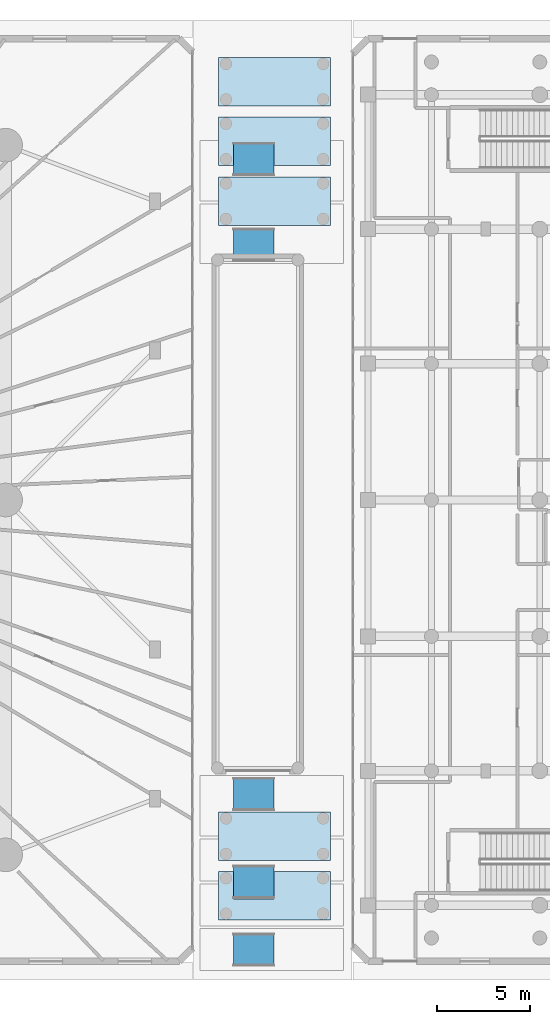
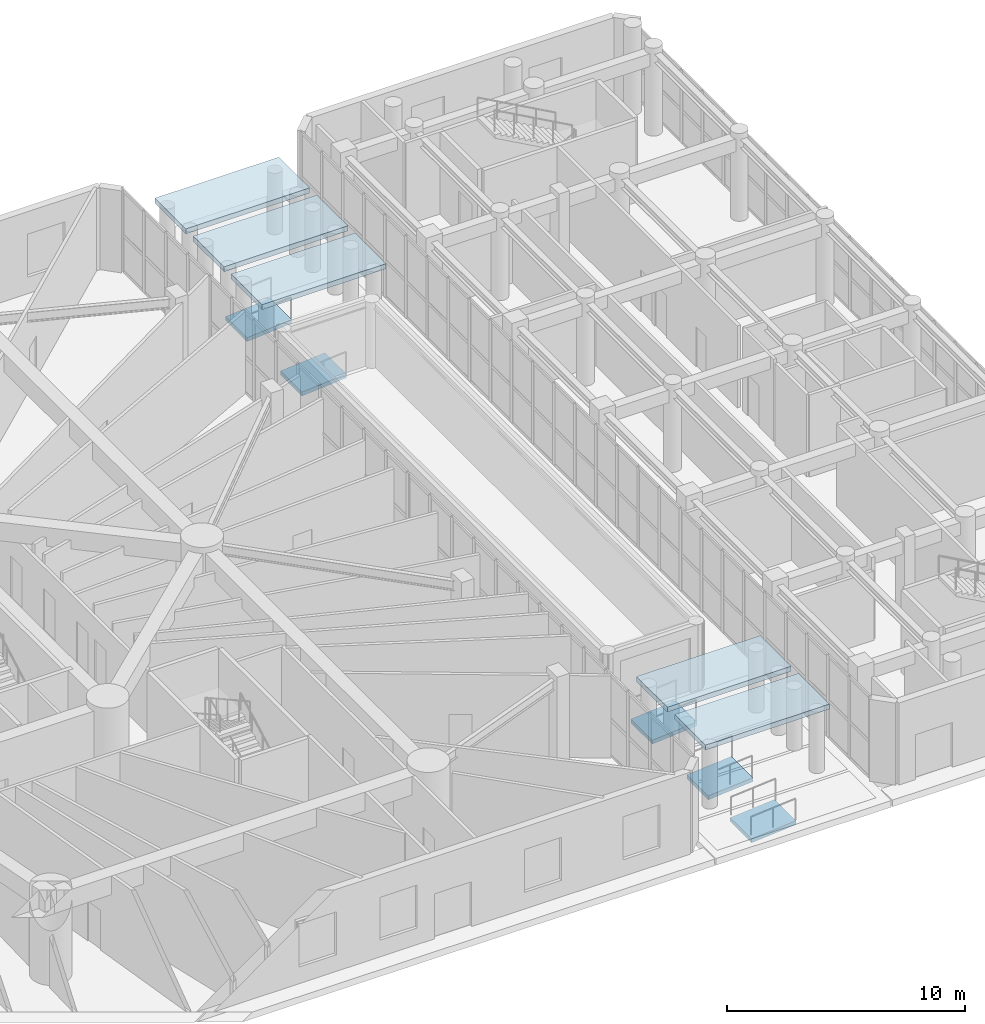
# One storey, part 22 of 30: 5 ramp flights, 5 roofs, 5 elements without a shape of their own.
"""IFC4 building model written with IfcOpenShell, lengths in metres."""

from ifc_helpers import new_model, si_unit, direction, frame, origin, place, context, subcontext, project, spatial, polyline, outline, extrude, material, layer, layer_set, type_object, element, aggregate, save


model = new_model("IFC4")

# Units and contexts
model_context = context("Model", 3, precision=1e-05, world=origin(), true_north=direction((0.0, 1.0)))
body_context = subcontext(model_context, "Body", "Model", "MODEL_VIEW")
ifc_project = project(units=[si_unit("LENGTHUNIT", "METRE"), si_unit("AREAUNIT", "SQUARE_METRE"), si_unit("VOLUMEUNIT", "CUBIC_METRE"), si_unit("PLANEANGLEUNIT", "RADIAN"), si_unit("MASSUNIT", "GRAM", prefix="KILO")], contexts=[model_context])

# Site, building, storey
site_placement = place(None, origin())
site = spatial("IfcSite", under=ifc_project, at=site_placement, CompositionType="ELEMENT")
building_placement = place(site_placement, origin())
building = spatial("IfcBuilding", under=site, at=building_placement, Name="Karkom Vertical University and Central Library", CompositionType="ELEMENT")
storey_placement = place(building_placement, origin())
storey = spatial("IfcBuildingStorey", under=building, at=storey_placement, Name="L00", CompositionType="ELEMENT", Elevation=0.0)

# Ramp, ramp flight
ifc_material_1 = material(Name="Concrete C40/50", Category="concrete")
ifc_layer_1 = layer(ifc_material_1, 0.199951171875)
ifc_layer_set_1 = layer_set([ifc_layer_1], Name="Concrete C40/50")
ramp_type = type_object("IfcRampType", Name="INT-RMP-PED", PredefinedType="STRAIGHT_RUN_RAMP", material=ifc_layer_set_1)
ramp_1_placement = place(storey_placement, origin())
ramp_1 = element("IfcRamp", 1, at=ramp_1_placement, inside=storey, type_object=ramp_type, Name="Level 00 Accessible 1:12 Pedestrian Plaza Ramp L00-PRMP-1", PredefinedType="STRAIGHT_RUN_RAMP")
ifc_layer_2 = layer(ifc_material_1, 0.199951171875)
ifc_layer_set_2 = layer_set([ifc_layer_2], Name="Concrete C40/50")
ramp_flight_type = type_object("IfcRampFlightType", Name="INT-RFL-PED", PredefinedType="STRAIGHT", material=ifc_layer_set_2)
ramp_flight_1_placement = place(storey_placement, frame((59.0, 10.75, -0.179931640625), z_axis=(0.0, 0.0, 1.0), x_axis=(1.0, 0.0, 0.0)))
ramp_flight_1 = element("IfcRampFlight", 2, at=ramp_flight_1_placement, type_object=ramp_flight_type, Name="Level 00 Accessible Pedestrian Ramp Flight L00-PRMP-1", PredefinedType="STRAIGHT", context=body_context, shape_type="SweptSolid", body=[
    extrude(outline(polyline([(0.0, 0.0), (2.159912109375, 0.179931640625), (2.159912109375, -0.02001953125), (0.0, -0.199951171875), (0.0, 0.0)])), frame((0.0, 0.89990234375, 0.0), z_axis=(0.0, -1.0, 0.0), x_axis=(1.0, 0.0, 0.0)), (0.0, 0.0, 1.0), 1.800048828125),
])
aggregate(ramp_1, [ramp_flight_1])

ramp_2_placement = place(storey_placement, origin())
ramp_2 = element("IfcRamp", 3, at=ramp_2_placement, inside=storey, type_object=ramp_type, Name="Level 00 Accessible 1:12 Pedestrian Plaza Ramp L00-PRMP-2", PredefinedType="STRAIGHT_RUN_RAMP")
ramp_flight_2_placement = place(storey_placement, frame((59.0, 6.050048828125, -0.179931640625), z_axis=(0.0, 0.0, 1.0), x_axis=(1.0, 0.0, 0.0)))
ramp_flight_2 = element("IfcRampFlight", 4, at=ramp_flight_2_placement, type_object=ramp_flight_type, Name="Level 00 Accessible Pedestrian Ramp Flight L00-PRMP-2", PredefinedType="STRAIGHT", context=body_context, shape_type="SweptSolid", body=[
    extrude(outline(polyline([(0.0, 0.0), (2.159912109375, 0.179931640625), (2.159912109375, -0.02001953125), (0.0, -0.199951171875), (0.0, 0.0)])), frame((0.0, 0.89990234375, 0.0), z_axis=(0.0, -1.0, 0.0), x_axis=(1.0, 0.0, 0.0)), (0.0, 0.0, 1.0), 1.800048828125),
])
aggregate(ramp_2, [ramp_flight_2])

ramp_3_placement = place(storey_placement, origin())
ramp_3 = element("IfcRamp", 5, at=ramp_3_placement, inside=storey, type_object=ramp_type, Name="Level 00 Accessible 1:12 Pedestrian Plaza Ramp L00-PRMP-3", PredefinedType="STRAIGHT_RUN_RAMP")
ramp_flight_3_placement = place(storey_placement, frame((59.0, 44.75, -0.179931640625), z_axis=(0.0, 0.0, 1.0), x_axis=(1.0, 0.0, 0.0)))
ramp_flight_3 = element("IfcRampFlight", 6, at=ramp_flight_3_placement, type_object=ramp_flight_type, Name="Level 00 Accessible Pedestrian Ramp Flight L00-PRMP-3", PredefinedType="STRAIGHT", context=body_context, shape_type="SweptSolid", body=[
    extrude(outline(polyline([(0.0, 0.0), (2.159912109375, 0.179931640625), (2.159912109375, -0.02001953125), (0.0, -0.199951171875), (0.0, 0.0)])), frame((0.0, 0.89990234375, 0.0), z_axis=(0.0, -1.0, 0.0), x_axis=(1.0, 0.0, 0.0)), (0.0, 0.0, 1.0), 1.800048828125),
])
aggregate(ramp_3, [ramp_flight_3])

ramp_4_placement = place(storey_placement, origin())
ramp_4 = element("IfcRamp", 7, at=ramp_4_placement, inside=storey, type_object=ramp_type, Name="Level 00 Accessible 1:12 Pedestrian Plaza Ramp L00-PRMP-4", PredefinedType="STRAIGHT_RUN_RAMP")
ramp_flight_4_placement = place(storey_placement, frame((59.0, 40.14990234375, -0.179931640625), z_axis=(0.0, 0.0, 1.0), x_axis=(1.0, 0.0, 0.0)))
ramp_flight_4 = element("IfcRampFlight", 8, at=ramp_flight_4_placement, type_object=ramp_flight_type, Name="Level 00 Accessible Pedestrian Ramp Flight L00-PRMP-4", PredefinedType="STRAIGHT", context=body_context, shape_type="SweptSolid", body=[
    extrude(outline(polyline([(0.0, 0.0), (2.159912109375, 0.179931640625), (2.159912109375, -0.02001953125), (0.0, -0.199951171875), (0.0, 0.0)])), frame((0.0, 0.89990234375, 0.0), z_axis=(0.0, -1.0, 0.0), x_axis=(1.0, 0.0, 0.0)), (0.0, 0.0, 1.0), 1.800048828125),
])
aggregate(ramp_4, [ramp_flight_4])

ramp_5_placement = place(storey_placement, origin())
ramp_5 = element("IfcRamp", 9, at=ramp_5_placement, inside=storey, type_object=ramp_type, Name="Level 00 Accessible 1:12 Pedestrian Plaza Ramp L00-PRMP-5", PredefinedType="STRAIGHT_RUN_RAMP")
ramp_flight_5_placement = place(storey_placement, frame((59.0, 2.419921875, -0.179931640625), z_axis=(0.0, 0.0, 1.0), x_axis=(1.0, 0.0, 0.0)))
ramp_flight_5 = element("IfcRampFlight", 10, at=ramp_flight_5_placement, type_object=ramp_flight_type, Name="Level 00 Accessible Pedestrian Ramp Flight L00-PRMP-5", PredefinedType="STRAIGHT", context=body_context, shape_type="SweptSolid", body=[
    extrude(outline(polyline([(0.0, 0.0), (2.159912109375, 0.179931640625), (2.159912109375, -0.02001953125), (0.0, -0.199951171875), (0.0, 0.0)])), frame((0.0, 0.89990234375, 0.0), z_axis=(0.0, -1.0, 0.0), x_axis=(1.0, 0.0, 0.0)), (0.0, 0.0, 1.0), 1.800048828125),
])
aggregate(ramp_5, [ramp_flight_5])

# Roofs
ifc_material_2 = material(Name="Precast concrete C45/55", Category="concrete")
ifc_layer_3 = layer(ifc_material_2, 0.260009765625)
ifc_layer_set_3 = layer_set([ifc_layer_3], Name="Precast concrete C45/55")
roof_type = type_object("IfcRoofType", Name="STR-ROOF-CAP", PredefinedType="PAVILION_ROOF", material=ifc_layer_set_3)
roof_1_placement = place(storey_placement, frame((0.0, 0.0, 3.139892578125)))
element("IfcRoof", 11, at=roof_1_placement, inside=storey, type_object=roof_type, Name="Level 00 Plaza Entrance Link Canopy Roof 1", PredefinedType="PAVILION_ROOF", context=body_context, shape_type="SweptSolid", body=[
    extrude(outline(polyline([(58.199951171875, 4.0), (64.199951171875, 4.0), (64.199951171875, 6.60009765625), (58.199951171875, 6.60009765625), (58.199951171875, 4.0)])), origin(), (0.0, 0.0, 1.0), 0.260009765625),
])
roof_2_placement = place(storey_placement, frame((0.0, 0.0, 3.139892578125)))
element("IfcRoof", 12, at=roof_2_placement, inside=storey, type_object=roof_type, Name="Level 00 Plaza Entrance Link Canopy Roof 2", PredefinedType="PAVILION_ROOF", context=body_context, shape_type="SweptSolid", body=[
    extrude(outline(polyline([(58.199951171875, 7.199951171875), (64.199951171875, 7.199951171875), (64.199951171875, 9.800048828125), (58.199951171875, 9.800048828125), (58.199951171875, 7.199951171875)])), origin(), (0.0, 0.0, 1.0), 0.260009765625),
])
roof_3_placement = place(storey_placement, frame((0.0, 0.0, 3.139892578125)))
element("IfcRoof", 13, at=roof_3_placement, inside=storey, type_object=roof_type, Name="Level 00 Plaza Entrance Link Canopy Roof 3", PredefinedType="PAVILION_ROOF", context=body_context, shape_type="SweptSolid", body=[
    extrude(outline(polyline([(58.199951171875, 41.199951171875), (64.199951171875, 41.199951171875), (64.199951171875, 43.800048828125), (58.199951171875, 43.800048828125), (58.199951171875, 41.199951171875)])), origin(), (0.0, 0.0, 1.0), 0.260009765625),
])
roof_4_placement = place(storey_placement, frame((0.0, 0.0, 3.139892578125)))
element("IfcRoof", 14, at=roof_4_placement, inside=storey, type_object=roof_type, Name="Level 00 Plaza Entrance Link Canopy Roof 4", PredefinedType="PAVILION_ROOF", context=body_context, shape_type="SweptSolid", body=[
    extrude(outline(polyline([(58.199951171875, 44.39990234375), (64.199951171875, 44.39990234375), (64.199951171875, 47.0), (58.199951171875, 47.0), (58.199951171875, 44.39990234375)])), origin(), (0.0, 0.0, 1.0), 0.260009765625),
])
roof_5_placement = place(storey_placement, frame((0.0, 0.0, 3.139892578125)))
element("IfcRoof", 15, at=roof_5_placement, inside=storey, type_object=roof_type, Name="Level 00 Plaza Entrance Link Canopy Roof 5", PredefinedType="PAVILION_ROOF", context=body_context, shape_type="SweptSolid", body=[
    extrude(outline(polyline([(58.199951171875, 47.60009765625), (64.199951171875, 47.60009765625), (64.199951171875, 50.199951171875), (58.199951171875, 50.199951171875), (58.199951171875, 47.60009765625)])), origin(), (0.0, 0.0, 1.0), 0.260009765625),
])

save(model, "model.ifc")
